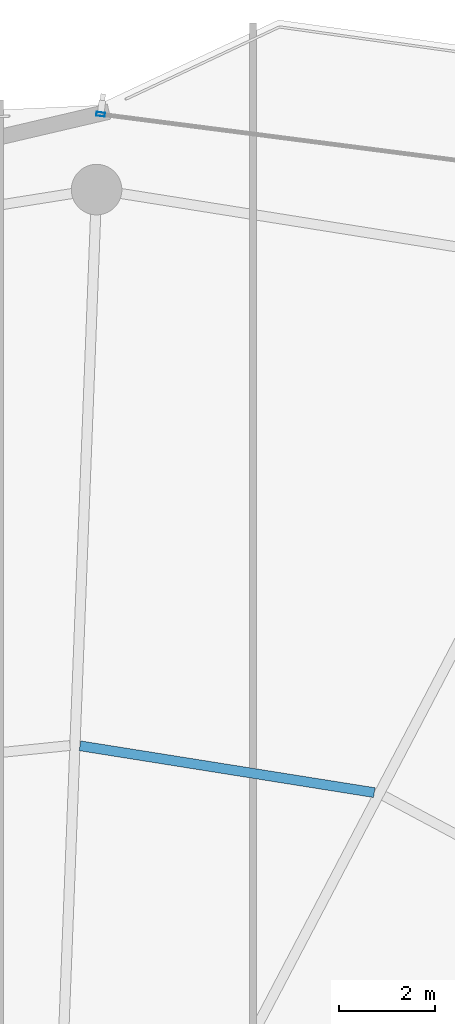
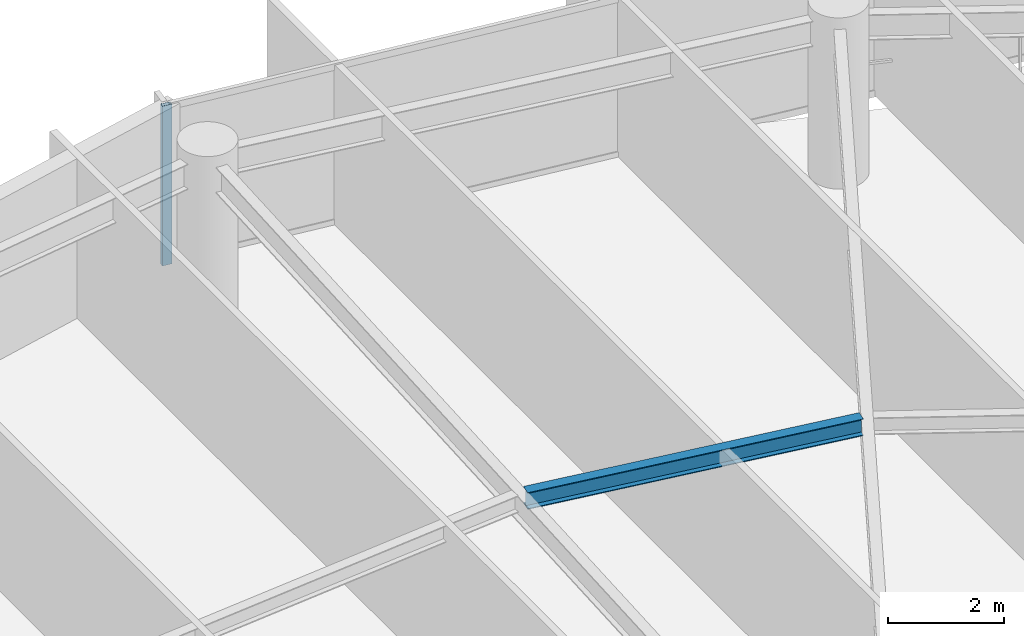
# One storey, part 20 of 31: 1 beam, 1 member, 1 element without a shape of its own.
"""IFC4 building model written with IfcOpenShell, lengths in metres."""

import ifcopenshell
import ifcopenshell.guid

model = None  # the IFC model being written
_history = None  # IfcOwnerHistory: only IFC2X3 demands one
_inside = {}  # id of a spatial element -> (the spatial element, [elements in it])
_under = {}  # id of a project, library or spatial element -> (it, [spatial elements below it])
_declared = {}  # id of a project -> (the project, [libraries it declares])
_typed = {}  # id of a type object -> (the type object, [elements of that type])
_made_of = {}  # id of a material, layer set ... -> (it, [elements and type objects made of it])


def new_model(schema):
    """Start an empty IFC model of exactly this schema.

    Asked for "IFC4X3", IfcOpenShell would pick the latest addendum, in which some entities
    have other attributes; the version numbers below select the first issue.
    IFC2X3 requires an IfcOwnerHistory on every rooted entity: one is made here for all.
    """
    global model, _history
    if schema == "IFC4X3":
        model = ifcopenshell.file(schema_version=(4, 3, 0, 0))
    else:
        model = ifcopenshell.file(schema=schema)
    _inside.clear()
    _under.clear()
    _declared.clear()
    _typed.clear()
    _made_of.clear()
    _history = None
    if model.schema == "IFC2X3":
        org = make("IfcOrganization", Name="unknown")
        user = make(
            "IfcPersonAndOrganization",
            ThePerson=make("IfcPerson", FamilyName="unknown"),
            TheOrganization=org,
        )
        app = make(
            "IfcApplication",
            ApplicationDeveloper=org,
            Version="unknown",
            ApplicationFullName="unknown",
            ApplicationIdentifier="unknown",
        )
        _history = make(
            "IfcOwnerHistory",
            OwningUser=user,
            OwningApplication=app,
            ChangeAction="ADDED",
            CreationDate=0,
        )
    return model


def make(cls, **values):
    """One entity of the class cls with the attributes given. An attribute that is None is left unset."""
    return model.create_entity(
        cls, **{name: value for name, value in values.items() if value is not None}
    )


def rooted(cls, **values):
    """An entity with a GlobalId (a new one), such as an element, a storey or a relation."""
    return make(cls, GlobalId=ifcopenshell.guid.new(), OwnerHistory=_history, **values)


def si_unit(unit_type, name, prefix=None):
    """IfcSIUnit, for example si_unit("LENGTHUNIT", "METRE", prefix="MILLI")."""
    return make("IfcSIUnit", UnitType=unit_type, Prefix=prefix, Name=name)


def assignment(units):
    """IfcUnitAssignment: the units of a project."""
    return None if units is None else make("IfcUnitAssignment", Units=units)


def point(xyz):
    """IfcCartesianPoint."""
    return None if xyz is None else make("IfcCartesianPoint", Coordinates=xyz)


def direction(xyz):
    """IfcDirection."""
    return None if xyz is None else make("IfcDirection", DirectionRatios=xyz)


def frame(location, z_axis=None, x_axis=None):
    """IfcAxis2Placement3D, a coordinate frame: its origin and axes. An axis left out is left unset."""
    return make(
        "IfcAxis2Placement3D",
        Location=point(location),
        Axis=direction(z_axis),
        RefDirection=direction(x_axis),
    )


def frame_2d(location, x_axis=None):
    """IfcAxis2Placement2D, a coordinate frame in the plane: its origin and x axis."""
    return make(
        "IfcAxis2Placement2D", Location=point(location), RefDirection=direction(x_axis)
    )


def origin():
    """The frame at (0, 0, 0) with its axes left unset."""
    return frame((0.0, 0.0, 0.0))


def origin_2d():
    """The frame at (0, 0) in the plane with its x axis left unset."""
    return frame_2d((0.0, 0.0))


def place(relative_to, where):
    """IfcLocalPlacement: puts the frame where relative to a parent placement (None: the world)."""
    return make(
        "IfcLocalPlacement", PlacementRelTo=relative_to, RelativePlacement=where
    )


def context(
    kind, dimensions, precision=None, world=None, true_north=None, identifier=None
):
    """IfcGeometricRepresentationContext, for example the 3D "Model" context."""
    return make(
        "IfcGeometricRepresentationContext",
        ContextIdentifier=identifier,
        ContextType=kind,
        CoordinateSpaceDimension=dimensions,
        Precision=precision,
        WorldCoordinateSystem=world,
        TrueNorth=true_north,
    )


def subcontext(parent, identifier, kind, view, scale=None):
    """IfcGeometricRepresentationSubContext, for example "Body" below "Model"."""
    return make(
        "IfcGeometricRepresentationSubContext",
        ContextIdentifier=identifier,
        ContextType=kind,
        ParentContext=parent,
        TargetScale=scale,
        TargetView=view,
    )


def project(units=None, contexts=None):
    """IfcProject with its units and contexts."""
    return rooted(
        "IfcProject",
        Name="project",
        RepresentationContexts=contexts,
        UnitsInContext=assignment(units),
    )


def spatial(cls, under=None, at=None, **own):
    """A site, building, storey or space (cls), placed at a placement, below another one or the project."""
    s = rooted(cls, ObjectPlacement=at, **own)
    if under is not None:
        _under.setdefault(under.id(), (under, []))[1].append(s)
    return s


def profile(cls, at=None, kind="AREA", **sizes):
    """A parametric profile (cls). Its sizes go by their IFC names, for example OverallWidth=200.0."""
    return make(cls, ProfileType=kind, Position=at, **sizes)


def hollow_rectangle(**sizes):
    """IfcRectangleHollowProfileDef."""
    return profile("IfcRectangleHollowProfileDef", **sizes)


def i_section(**sizes):
    """IfcIShapeProfileDef."""
    return profile("IfcIShapeProfileDef", **sizes)


def extrude(swept, where, along, depth):
    """IfcExtrudedAreaSolid: the profile swept, set in the frame where, extruded along a direction by depth."""
    return make(
        "IfcExtrudedAreaSolid",
        SweptArea=swept,
        Position=where,
        ExtrudedDirection=direction(along),
        Depth=depth,
    )


def shape(context_of_items, identifier, shape_type, items):
    """IfcShapeRepresentation: the items that make up one representation, for example the "Body"."""
    return make(
        "IfcShapeRepresentation",
        ContextOfItems=context_of_items,
        RepresentationIdentifier=identifier,
        RepresentationType=shape_type,
        Items=items,
    )


def material(Name=None, Category=None):
    """IfcMaterial."""
    return make("IfcMaterial", Name=Name, Category=Category)


def layer(
    of_material, thickness, ventilated=None, Name=None, Category=None, Priority=None
):
    """IfcMaterialLayer: one layer of a wall or slab, of a material (None: an air gap)."""
    return make(
        "IfcMaterialLayer",
        Material=of_material,
        LayerThickness=thickness,
        IsVentilated=ventilated,
        Name=Name,
        Category=Category,
        Priority=Priority,
    )


def layer_set(layers, Name=None):
    """IfcMaterialLayerSet."""
    return make("IfcMaterialLayerSet", MaterialLayers=layers, LayerSetName=Name)


def material_profile(
    of_material, cross_section, Name=None, Category=None, Priority=None
):
    """IfcMaterialProfile: a cross section and its material."""
    return make(
        "IfcMaterialProfile",
        Name=Name,
        Material=of_material,
        Profile=cross_section,
        Priority=Priority,
        Category=Category,
    )


def profile_set(profiles, Name=None, composite=None):
    """IfcMaterialProfileSet."""
    return make(
        "IfcMaterialProfileSet",
        Name=Name,
        MaterialProfiles=profiles,
        CompositeProfile=composite,
    )


def made_of(thing, what):
    """Note that an element or type object is made of a material, layer set ...; save() writes the relation."""
    if what is not None:
        _made_of.setdefault(what.id(), (what, []))[1].append(thing)
    return thing


def type_object(cls, material=None, **own):
    """A type object (cls), such as IfcWallType, which elements share."""
    return made_of(rooted(cls, **own), material)


def element(
    cls,
    number,
    at=None,
    inside=None,
    cuts=None,
    type_object=None,
    material=None,
    context=None,
    identifier="Body",
    shape_type=None,
    held_by="IfcProductDefinitionShape",
    body=None,
    shapes=None,
    **own,
):
    """One element of the class cls, such as IfcWall. Its Tag is "e" and its number.

    at: its placement. inside: the storey or other place that contains it. cuts: it is an
    opening in that element (IfcRelVoidsElement). A single representation is given by context,
    identifier, shape_type and body (its items); several are given by shapes. held_by: the class
    of the entity that holds the representations. save() writes the other relations.
    """
    e = rooted(cls, Tag="e%d" % number, ObjectPlacement=at, **own)
    if body is not None:
        shapes = [shape(context, identifier, shape_type, body)]
    if shapes is not None:
        e.Representation = make(held_by, Representations=shapes)
    if inside is not None:
        _inside.setdefault(inside.id(), (inside, []))[1].append(e)
    if cuts is not None:
        rooted(
            "IfcRelVoidsElement", RelatingBuildingElement=cuts, RelatedOpeningElement=e
        )
    if type_object is not None:
        _typed.setdefault(type_object.id(), (type_object, []))[1].append(e)
    return made_of(e, material)


def aggregate(whole, parts):
    """IfcRelAggregates: a whole, such as a stair, and the parts it consists of."""
    return rooted("IfcRelAggregates", RelatingObject=whole, RelatedObjects=parts)


def save(model, path):
    """Write the relations noted so far, then the file.

    IfcRelAggregates (storeys below a building ...), IfcRelContainedInSpatialStructure (elements
    in a storey), IfcRelDefinesByType, IfcRelAssociatesMaterial and IfcRelDeclares: one each for
    every whole, place, type object, material and project.
    """
    for whole, parts in _under.values():
        aggregate(whole, parts)
    for where, things in _inside.values():
        rooted(
            "IfcRelContainedInSpatialStructure",
            RelatedElements=things,
            RelatingStructure=where,
        )
    for kind, things in _typed.values():
        rooted("IfcRelDefinesByType", RelatedObjects=things, RelatingType=kind)
    for what, things in _made_of.values():
        rooted("IfcRelAssociatesMaterial", RelatedObjects=things, RelatingMaterial=what)
    for by, libraries in _declared.values():
        rooted("IfcRelDeclares", RelatingContext=by, RelatedDefinitions=libraries)
    model.write(path)


model = new_model("IFC4")

# Units and contexts
model_context = context("Model", 3, precision=1e-05, world=origin(), true_north=direction((0.0, 1.0)))
body_context = subcontext(model_context, "Body", "Model", "MODEL_VIEW")
ifc_project = project(units=[si_unit("LENGTHUNIT", "METRE"), si_unit("AREAUNIT", "SQUARE_METRE"), si_unit("VOLUMEUNIT", "CUBIC_METRE"), si_unit("PLANEANGLEUNIT", "RADIAN"), si_unit("MASSUNIT", "GRAM", prefix="KILO")], contexts=[model_context])

# Site, building, storey
site_placement = place(None, origin())
site = spatial("IfcSite", under=ifc_project, at=site_placement, CompositionType="ELEMENT")
building_placement = place(site_placement, origin())
building = spatial("IfcBuilding", under=site, at=building_placement, Name="Kazevale Care Tower and Concert Hall", CompositionType="ELEMENT")
storey_placement = place(building_placement, frame((0.0, 0.0, 235.199951171875)))
storey = spatial("IfcBuildingStorey", under=building, at=storey_placement, Name="L62", CompositionType="ELEMENT", Elevation=235.199951171875)

# Curtain wall, member
ifc_material_1 = material(Name="Aluminium 6063-T6 and Low-E Glass", Category="aluminium")
ifc_layer = layer(ifc_material_1, 0.179931640625)
ifc_layer_set = layer_set([ifc_layer], Name="Aluminium 6063-T6 and Low-E Glass")
curtain_wall_type = type_object("IfcCurtainWallType", Name="Waist & Upper Residential Curtain Wall CW-4", PredefinedType="NOTDEFINED", material=ifc_layer_set)
curtain_wall_placement = place(storey_placement, origin())
curtain_wall = element("IfcCurtainWall", 1, at=curtain_wall_placement, inside=storey, type_object=curtain_wall_type, Name="cw:L62:f16", PredefinedType="NOTDEFINED")
ifc_material_2 = material(Name="Aluminium 6063-T6", Category="aluminium")
ifc_material_profile_1 = material_profile(ifc_material_2, hollow_rectangle(XDim=0.080078125, YDim=0.179931640625, WallThickness=0.0048828125, at=origin_2d()), Name="ALU80x180x5")
ifc_profile_set_1 = profile_set([ifc_material_profile_1], Name="Aluminium 6063-T6")
member_type = type_object("IfcMemberType", Name="CW-4 Mullion ALU80x180x5", PredefinedType="MULLION", material=ifc_profile_set_1)
member_placement = place(storey_placement, frame((45.083740234375, 63.616943359375, 0.0), z_axis=(0.0, 0.0, 1.0), x_axis=(0.128098132904, 0.991761497713, 0.0)))
member = element("IfcMember", 2, at=member_placement, type_object=member_type, Name="CW-4 mullion 1", PredefinedType="MULLION", context=body_context, shape_type="SweptSolid", body=[
    extrude(hollow_rectangle(XDim=0.080078125, YDim=0.179931640625, WallThickness=0.0048828125, at=origin_2d()), origin(), (0.0, 0.0, 1.0), 3.360107421875),
])
aggregate(curtain_wall, [member])

# Beam
ifc_material_3 = material(Name="Steel ASTM A572 Gr 50", Category="steel")
ifc_material_profile_2 = material_profile(ifc_material_3, i_section(OverallWidth=0.205078125, OverallDepth=0.35400390625, WebThickness=0.009521484375, FlangeThickness=0.016845703125, at=origin_2d()), Name="W360x79")
ifc_profile_set_2 = profile_set([ifc_material_profile_2], Name="Steel ASTM A572 Gr 50")
beam_type = type_object("IfcBeamType", Name="Secondary Floor Joist W360x79", PredefinedType="JOIST", material=ifc_profile_set_2)
beam_placement = place(storey_placement, frame((50.77099609375, 49.51806640625, 3.18310546875), z_axis=(-0.987586560603, 0.157075731152, 0.0), x_axis=(-0.157075731152, -0.987586560603, 0.0)))
element("IfcBeam", 3, at=beam_placement, inside=storey, type_object=beam_type, Name="beam:L62:joist:04", PredefinedType="JOIST", context=body_context, shape_type="SweptSolid", body=[
    extrude(i_section(OverallWidth=0.205078125, OverallDepth=0.35400390625, WebThickness=0.009521484375, FlangeThickness=0.016845703125, at=origin_2d()), origin(), (0.0, 0.0, 1.0), 6.19384765625),
])

save(model, "model.ifc")
